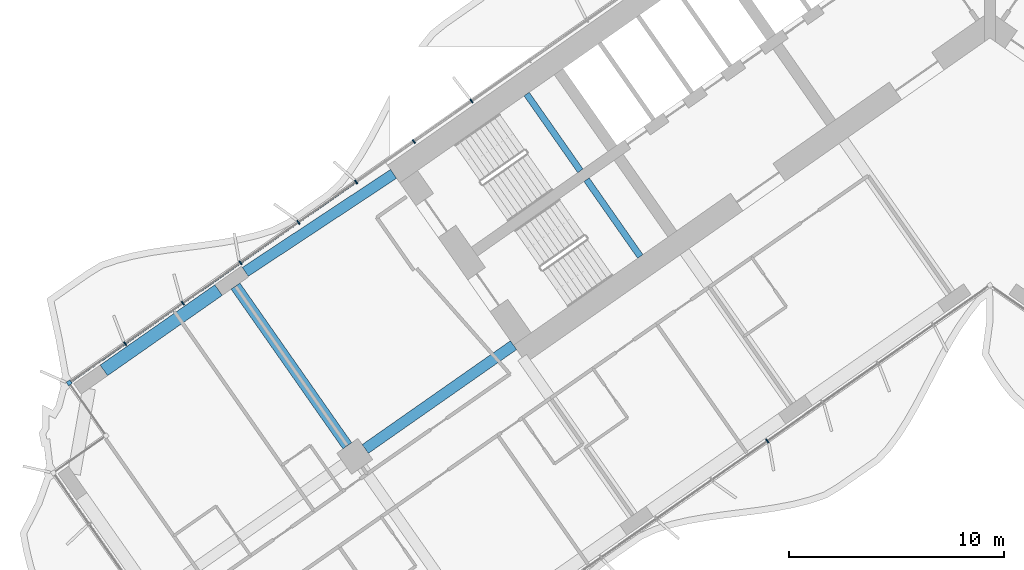
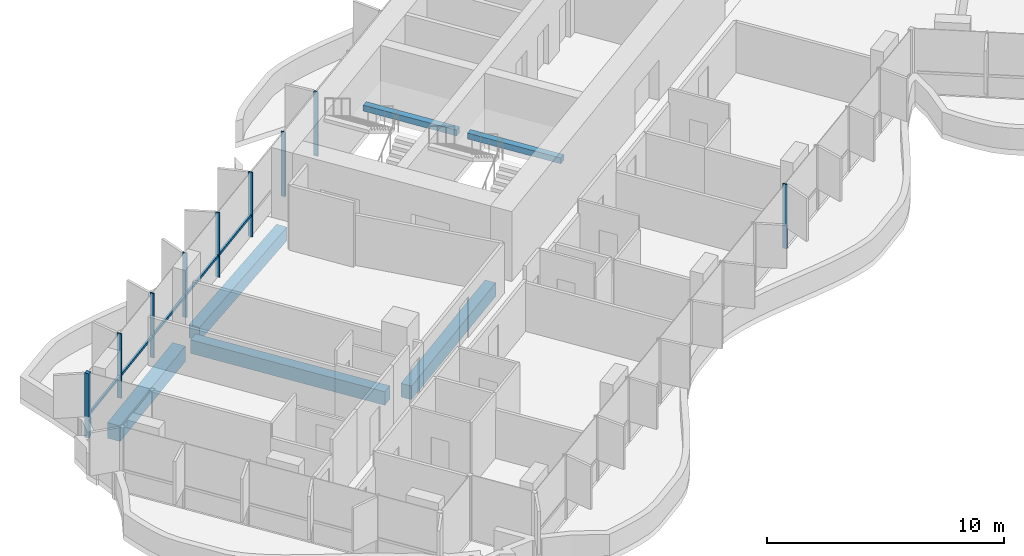
# One storey, part 4 of 24: 10 members, 6 beams, 2 elements without a shape of their own.
"""IFC4 building model written with IfcOpenShell, lengths in metres."""

from ifc_helpers import new_model, si_unit, direction, frame, origin, origin_2d, place, context, subcontext, project, spatial, rectangle, extrude, material, material_profile, profile_set, type_object, element, aggregate, save


model = new_model("IFC4")

# Units and contexts
model_context = context("Model", 3, precision=1e-05, world=origin(), true_north=direction((0.0, 1.0)))
body_context = subcontext(model_context, "Body", "Model", "MODEL_VIEW")
ifc_project = project(units=[si_unit("LENGTHUNIT", "METRE"), si_unit("AREAUNIT", "SQUARE_METRE"), si_unit("VOLUMEUNIT", "CUBIC_METRE"), si_unit("PLANEANGLEUNIT", "RADIAN"), si_unit("MASSUNIT", "GRAM", prefix="KILO")], contexts=[model_context])

# Site, building, storey
site_placement = place(None, origin())
site = spatial("IfcSite", under=ifc_project, at=site_placement, CompositionType="ELEMENT")
building_placement = place(site_placement, origin())
building = spatial("IfcBuilding", under=site, at=building_placement, Name="Tel Ilan Convention Tower", CompositionType="ELEMENT")
storey_placement = place(building_placement, frame((0.0, 0.0, 68.89990234375)))
storey = spatial("IfcBuildingStorey", under=building, at=storey_placement, Name="L12", CompositionType="ELEMENT", Elevation=68.89990234375)

# Beams
ifc_material_1 = material(Name="Concrete C40/50", Category="concrete")
ifc_material_profile_1 = material_profile(ifc_material_1, rectangle(XDim=0.5, YDim=0.699951171875, at=origin_2d()), Name="RC 500x700")
ifc_profile_set_1 = profile_set([ifc_material_profile_1], Name="Concrete C40/50")
beam_type_1 = type_object("IfcBeamType", Name="Beam RC 500x700 Concrete C40/50", PredefinedType="BEAM", material=ifc_profile_set_1)
beam_1_placement = place(storey_placement, frame((-34.570556640625, -12.08447265625, -0.6298828125), z_axis=(0.834273603487, 0.551350663847, 0.0), x_axis=(-0.551350663847, 0.834273603487, 0.0)))
element("IfcBeam", 1, at=beam_1_placement, inside=storey, type_object=beam_type_1, Name="L12 beam W-W-B4-core", PredefinedType="BEAM", context=body_context, shape_type="SweptSolid", body=[
    extrude(rectangle(XDim=0.5, YDim=0.699951171875, at=origin_2d()), origin(), (0.0, 0.0, 1.0), 8.2529296875),
])
beam_2_placement = place(storey_placement, frame((-22.1171875, -15.486572265625, -0.6298828125), z_axis=(-0.819147254605, -0.573583276668, 0.0), x_axis=(0.573583276668, -0.819147254605, 0.0)))
element("IfcBeam", 2, at=beam_2_placement, inside=storey, type_object=beam_type_1, Name="L12 beam W-core-W-M4", PredefinedType="BEAM", context=body_context, shape_type="SweptSolid", body=[
    extrude(rectangle(XDim=0.5, YDim=0.699951171875, at=origin_2d()), origin(), (0.0, 0.0, 1.0), 8.400146484375),
])
beam_3_placement = place(storey_placement, frame((-29.83349609375, -20.1572265625, -0.6298828125), z_axis=(-0.57358002233, 0.819149533348, 0.0), x_axis=(-0.819149533348, -0.57358002233, 0.0)))
element("IfcBeam", 3, at=beam_3_placement, inside=storey, type_object=beam_type_1, Name="L12 beam W-W-M4-W-B4", PredefinedType="BEAM", context=body_context, shape_type="SweptSolid", body=[
    extrude(rectangle(XDim=0.5, YDim=0.699951171875, at=origin_2d()), origin(), (0.0, 0.0, 1.0), 9.050048828125),
])
ifc_material_2 = material(Name="Concrete C40/50", Category="concrete")
ifc_material_profile_2 = material_profile(ifc_material_2, rectangle(XDim=0.60009765625, YDim=0.800048828125, at=origin_2d()), Name="RC 600x800")
ifc_profile_set_2 = profile_set([ifc_material_profile_2], Name="Concrete C40/50")
beam_type_2 = type_object("IfcBeamType", Name="Beam RC 600x800 Concrete C40/50", PredefinedType="BEAM", material=ifc_profile_set_2)
beam_4_placement = place(storey_placement, frame((-41.135498046875, -16.656494140625, -0.679931640625), z_axis=(0.819178980414, 0.573537965655, 0.0), x_axis=(-0.573537965655, 0.819178980414, 0.0)))
element("IfcBeam", 4, at=beam_4_placement, inside=storey, type_object=beam_type_2, Name="L12 beam W-W-BC-W-B4", PredefinedType="BEAM", context=body_context, shape_type="SweptSolid", body=[
    extrude(rectangle(XDim=0.60009765625, YDim=0.800048828125, at=origin_2d()), origin(), (0.0, 0.0, 1.0), 6.5),
])

# Curtain wall, member
ifc_material_3 = material(Name="Aluminium, bronze anodised", Category="aluminium")
curtain_wall_type_1 = type_object("IfcCurtainWallType", Name="CW1 UNITISED CURTAIN WALL, HOTEL TINTED GLASS", PredefinedType="NOTDEFINED", material=ifc_material_3)
curtain_wall_1_placement = place(storey_placement, origin())
curtain_wall_1 = element("IfcCurtainWall", 5, at=curtain_wall_1_placement, inside=storey, type_object=curtain_wall_type_1, Name="Curtain wall CW1-12.02", PredefinedType="NOTDEFINED")
ifc_material_4 = material(Name="Aluminium, bronze anodised", Category="aluminium")
ifc_material_profile_3 = material_profile(ifc_material_4, rectangle(XDim=0.199951171875, YDim=0.199951171875, at=origin_2d()), Name="CW CORNER MULLION 200x200")
ifc_profile_set_3 = profile_set([ifc_material_profile_3], Name="Aluminium, bronze anodised")
member_type_1 = type_object("IfcMemberType", Name="CW CORNER MULLION 200x200", PredefinedType="MULLION", material=ifc_profile_set_3)
member_1_placement = place(storey_placement, frame((-42.7451171875, -17.234375, 0.0), z_axis=(0.0, 0.0, 1.0), x_axis=(-0.819152044289, -0.573576436351, 0.0)))
member_1 = element("IfcMember", 6, at=member_1_placement, type_object=member_type_1, Name="Corner mullion", PredefinedType="MULLION", context=body_context, shape_type="SweptSolid", body=[
    extrude(rectangle(XDim=0.199951171875, YDim=0.199951171875, at=origin_2d()), origin(), (0.0, 0.0, 1.0), 3.320068359375),
])

# Curtain wall, members
ifc_material_5 = material(Name="Aluminium, bronze anodised", Category="aluminium")
curtain_wall_type_2 = type_object("IfcCurtainWallType", Name="CW2 STICK CURTAIN WALL, SPANDREL PANELS", PredefinedType="NOTDEFINED", material=ifc_material_5)
curtain_wall_2_placement = place(storey_placement, origin())
curtain_wall_2 = element("IfcCurtainWall", 7, at=curtain_wall_2_placement, inside=storey, type_object=curtain_wall_type_2, Name="Curtain wall CW2-12.01", PredefinedType="NOTDEFINED")
ifc_material_6 = material(Name="Aluminium, bronze anodised", Category="aluminium")
ifc_material_profile_4 = material_profile(ifc_material_6, rectangle(XDim=0.06005859375, YDim=0.199951171875, at=origin_2d()), Name="CW MULLION 60x200")
ifc_profile_set_4 = profile_set([ifc_material_profile_4], Name="Aluminium, bronze anodised")
member_type_2 = type_object("IfcMemberType", Name="CW MULLION 60x200", PredefinedType="MULLION", material=ifc_profile_set_4)
member_2_placement = place(storey_placement, frame((-24.065185546875, -4.154541015625, 0.0), z_axis=(0.0, 0.0, 1.0), x_axis=(-0.819152044289, -0.573576436351, 0.0)))
member_2 = element("IfcMember", 8, at=member_2_placement, type_object=member_type_2, Name="Mullion", PredefinedType="MULLION", context=body_context, shape_type="SweptSolid", body=[
    extrude(rectangle(XDim=0.06005859375, YDim=0.199951171875, at=origin_2d()), origin(), (0.0, 0.0, 1.0), 3.320068359375),
])
member_3_placement = place(storey_placement, frame((-26.745361328125, -6.03125, 0.0), z_axis=(0.0, 0.0, 1.0), x_axis=(-0.819152044289, -0.573576436351, 0.0)))
member_3 = element("IfcMember", 9, at=member_3_placement, type_object=member_type_2, Name="Mullion", PredefinedType="MULLION", context=body_context, shape_type="SweptSolid", body=[
    extrude(rectangle(XDim=0.06005859375, YDim=0.199951171875, at=origin_2d()), origin(), (0.0, 0.0, 1.0), 3.320068359375),
])
member_4_placement = place(storey_placement, frame((-29.42578125, -7.907958984375, 0.0), z_axis=(0.0, 0.0, 1.0), x_axis=(-0.819152044289, -0.573576436351, 0.0)))
member_4 = element("IfcMember", 10, at=member_4_placement, type_object=member_type_2, Name="Mullion", PredefinedType="MULLION", context=body_context, shape_type="SweptSolid", body=[
    extrude(rectangle(XDim=0.06005859375, YDim=0.199951171875, at=origin_2d()), origin(), (0.0, 0.0, 1.0), 3.320068359375),
])
aggregate(curtain_wall_2, [member_2, member_3, member_4])

# Member
member_5_placement = place(storey_placement, frame((-32.10595703125, -9.78466796875, 0.0), z_axis=(0.0, 0.0, 1.0), x_axis=(-0.819152044289, -0.573576436351, 0.0)))
member_5 = element("IfcMember", 11, at=member_5_placement, type_object=member_type_2, Name="Mullion", PredefinedType="MULLION", context=body_context, shape_type="SweptSolid", body=[
    extrude(rectangle(XDim=0.06005859375, YDim=0.199951171875, at=origin_2d()), origin(), (0.0, 0.0, 1.0), 3.320068359375),
])

member_6_placement = place(storey_placement, frame((-34.7861328125, -11.66162109375, 0.0), z_axis=(0.0, 0.0, 1.0), x_axis=(-0.819152044289, -0.573576436351, 0.0)))
member_6 = element("IfcMember", 12, at=member_6_placement, type_object=member_type_2, Name="Mullion", PredefinedType="MULLION", context=body_context, shape_type="SweptSolid", body=[
    extrude(rectangle(XDim=0.06005859375, YDim=0.199951171875, at=origin_2d()), origin(), (0.0, 0.0, 1.0), 3.320068359375),
])

member_7_placement = place(storey_placement, frame((-37.466552734375, -13.538330078125, 0.0), z_axis=(0.0, 0.0, 1.0), x_axis=(-0.819152044289, -0.573576436351, 0.0)))
member_7 = element("IfcMember", 13, at=member_7_placement, type_object=member_type_2, Name="Mullion", PredefinedType="MULLION", context=body_context, shape_type="SweptSolid", body=[
    extrude(rectangle(XDim=0.06005859375, YDim=0.199951171875, at=origin_2d()), origin(), (0.0, 0.0, 1.0), 3.320068359375),
])

member_8_placement = place(storey_placement, frame((-40.146728515625, -15.4150390625, 0.0), z_axis=(0.0, 0.0, 1.0), x_axis=(-0.819152044289, -0.573576436351, 0.0)))
member_8 = element("IfcMember", 14, at=member_8_placement, type_object=member_type_2, Name="Mullion", PredefinedType="MULLION", context=body_context, shape_type="SweptSolid", body=[
    extrude(rectangle(XDim=0.06005859375, YDim=0.199951171875, at=origin_2d()), origin(), (0.0, 0.0, 1.0), 3.320068359375),
])

member_9_placement = place(storey_placement, frame((-10.337158203125, -19.93408203125, 0.0), z_axis=(0.0, 0.0, 1.0), x_axis=(0.819152044289, 0.573576436351, 0.0)))
member_9 = element("IfcMember", 15, at=member_9_placement, type_object=member_type_2, Name="Mullion", PredefinedType="MULLION", context=body_context, shape_type="SweptSolid", body=[
    extrude(rectangle(XDim=0.06005859375, YDim=0.199951171875, at=origin_2d()), origin(), (0.0, 0.0, 1.0), 3.320068359375),
])

ifc_material_7 = material(Name="Aluminium, bronze anodised", Category="aluminium")
ifc_material_profile_5 = material_profile(ifc_material_7, rectangle(XDim=0.10009765625, YDim=0.1201171875, at=origin_2d()), Name="CW TRANSOM 100x120")
ifc_profile_set_5 = profile_set([ifc_material_profile_5], Name="Aluminium, bronze anodised")
member_type_3 = type_object("IfcMemberType", Name="CW TRANSOM 100x120", PredefinedType="USERDEFINED", material=ifc_profile_set_5)
member_10_placement = place(storey_placement, frame((-29.4501953125, -7.92529296875, 1.10009765625), z_axis=(-0.819153693934, -0.573574080407, 0.0), x_axis=(0.573574080407, -0.819153693934, 0.0)))
member_10 = element("IfcMember", 16, at=member_10_placement, type_object=member_type_3, Name="Transom", ObjectType="TRANSOM", PredefinedType="USERDEFINED", context=body_context, shape_type="SweptSolid", body=[
    extrude(rectangle(XDim=0.10009765625, YDim=0.1201171875, at=origin_2d()), origin(), (0.0, 0.0, 1.0), 16.1298828125),
])

aggregate(curtain_wall_1, [member_5, member_6, member_7, member_8, member_1, member_10, member_9])

# Beams
ifc_material_8 = material(Name="Concrete C40/50", Category="concrete")
ifc_material_profile_6 = material_profile(ifc_material_8, rectangle(XDim=0.300048828125, YDim=0.300048828125, at=origin_2d()), Name="RC 300x300")
ifc_profile_set_6 = profile_set([ifc_material_profile_6], Name="Concrete C40/50")
beam_type_3 = type_object("IfcBeamType", Name="Landing Beam RC 300x300 Concrete C40/50", PredefinedType="BEAM", material=ifc_profile_set_6)
beam_5_placement = place(storey_placement, frame((-19.013671875, -7.392822265625, 1.4501953125), z_axis=(-0.57356780395, 0.819158088694, 0.0), x_axis=(-0.819158088694, -0.57356780395, 0.0)))
element("IfcBeam", 17, at=beam_5_placement, inside=storey, type_object=beam_type_3, Name="S1 landing beam L12.1", PredefinedType="BEAM", context=body_context, shape_type="SweptSolid", body=[
    extrude(rectangle(XDim=0.300048828125, YDim=0.300048828125, at=origin_2d()), origin(), (0.0, 0.0, 1.0), 4.35009765625),
])
beam_6_placement = place(storey_placement, frame((-16.231689453125, -11.365478515625, 1.4501953125), z_axis=(-0.573594173421, 0.819139624372, 0.0), x_axis=(-0.819139624372, -0.573594173421, 0.0)))
element("IfcBeam", 18, at=beam_6_placement, inside=storey, type_object=beam_type_3, Name="S2 landing beam L12.1", PredefinedType="BEAM", context=body_context, shape_type="SweptSolid", body=[
    extrude(rectangle(XDim=0.300048828125, YDim=0.300048828125, at=origin_2d()), origin(), (0.0, 0.0, 1.0), 4.349853515625),
])

save(model, "model.ifc")
